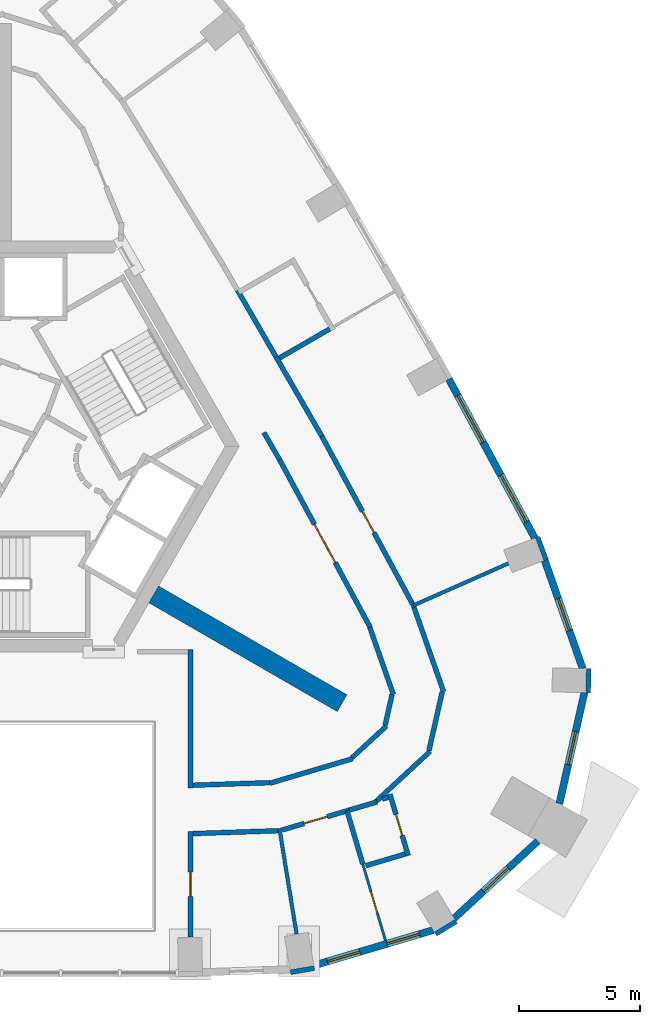
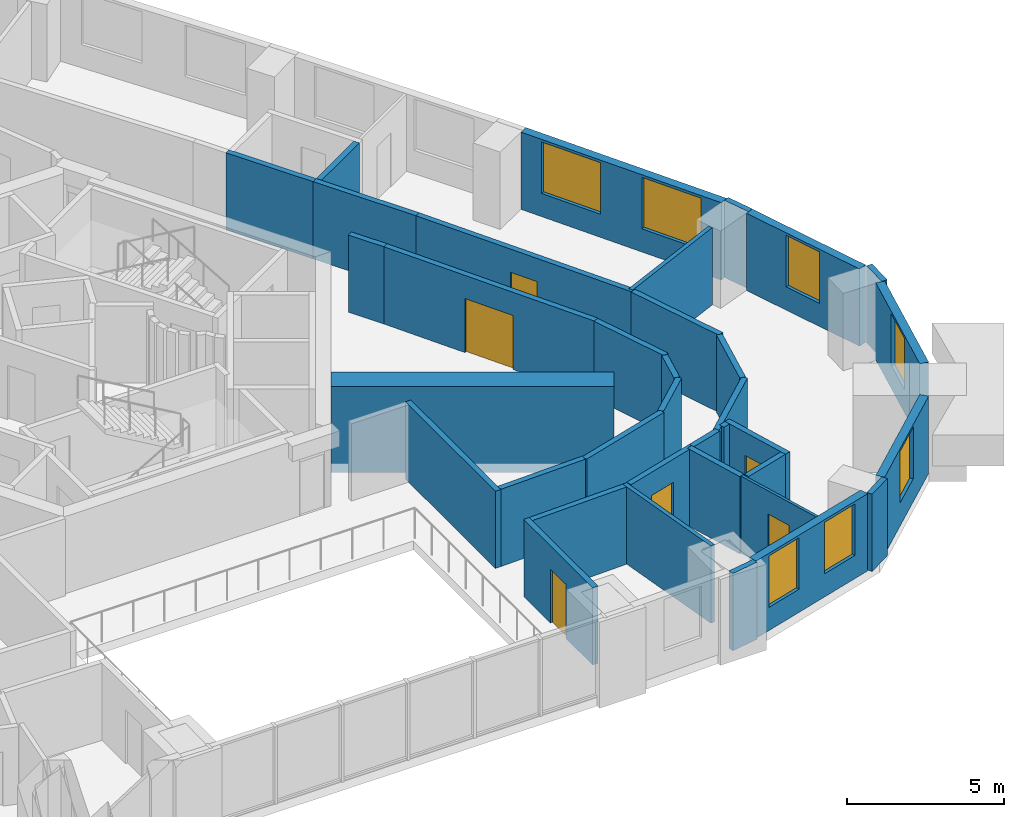
# One storey, part 6 of 10: 36 walls, 7 windows, 6 doors, 13 openings.
"""IFC4 building model written with IfcOpenShell, lengths in metres."""

from ifc_helpers import new_model, si_unit, direction, frame, frame_2d, origin, place, context, subcontext, project, spatial, rectangle, extrude, material, layer, layer_set, type_object, element, fill, save


model = new_model("IFC4")

# Units and contexts
model_context = context("Model", 3, precision=1e-05, world=origin(), true_north=direction((0.0, 1.0)))
body_context = subcontext(model_context, "Body", "Model", "MODEL_VIEW")
ifc_project = project(units=[si_unit("LENGTHUNIT", "METRE"), si_unit("AREAUNIT", "SQUARE_METRE"), si_unit("VOLUMEUNIT", "CUBIC_METRE"), si_unit("PLANEANGLEUNIT", "RADIAN"), si_unit("MASSUNIT", "GRAM", prefix="KILO")], contexts=[model_context])

# Site, building, storey
site_placement = place(None, origin())
site = spatial("IfcSite", under=ifc_project, at=site_placement, CompositionType="ELEMENT")
building_placement = place(site_placement, origin())
building = spatial("IfcBuilding", under=site, at=building_placement, Name="Entoto Arch Interchange Tower", CompositionType="ELEMENT")
storey_placement = place(building_placement, frame((0.0, 0.0, 322.39990234375)))
storey = spatial("IfcBuildingStorey", under=building, at=storey_placement, Name="L76", CompositionType="ELEMENT", Elevation=322.39990234375)

# Wall
ifc_material_1 = material(Name="Concrete C40/50", Category="concrete")
ifc_layer_1 = layer(ifc_material_1, 0.800048828125)
ifc_layer_set_1 = layer_set([ifc_layer_1], Name="Concrete C40/50")
wall_type_1 = type_object("IfcWallType", Name="Buttress wall 800 C40/50", PredefinedType="SHEAR", material=ifc_layer_set_1)
wall_1_placement = place(storey_placement, frame((6.279052734375, -3.625, -0.33984375), z_axis=(0.0, 0.0, 1.0), x_axis=(0.866017533419, -0.500013631625, 0.0)))
element("IfcWall", 1, at=wall_1_placement, inside=storey, type_object=wall_type_1, Name="Buttress wall SE L76", PredefinedType="SHEAR", context=body_context, shape_type="SweptSolid", body=[
    extrude(rectangle(XDim=8.999755859375, YDim=0.800048828125, at=frame_2d((4.5, 0.0))), origin(), (0.0, 0.0, 1.0), 3.33984375),
])

# Wall, opening, door
ifc_material_2 = material(Name="Gypsum board partition on steel studs", Category="steel")
ifc_layer_2 = layer(ifc_material_2, 0.10009765625)
ifc_layer_set_2 = layer_set([ifc_layer_2], Name="Gypsum board partition on steel studs")
wall_type_2 = type_object("IfcWallType", Name="PARTITION 100", PredefinedType="PARTITIONING", material=ifc_layer_set_2)
wall_2_placement = place(storey_placement, frame((14.928955078125, -14.781005859375, 0.0), z_axis=(0.0, 0.0, 1.0), x_axis=(0.284224342284, -0.958757802186, 0.0)))
wall_2 = element("IfcWall", 2, at=wall_2_placement, inside=storey, type_object=wall_type_2, Name="wall:L76:p081", PredefinedType="PARTITIONING", context=body_context, shape_type="SweptSolid", body=[
    extrude(rectangle(XDim=3.300048828125, YDim=0.10009765625, at=frame_2d((1.64990234375, 0.0))), origin(), (0.0, 0.0, 1.0), 3.0),
])
opening_1_placement = place(wall_2_placement, frame((1.199951171875, 0.0, 0.0)))
opening_1 = element("IfcOpeningElement", 3, at=opening_1_placement, cuts=wall_2, Name="Opening L76-D02", PredefinedType="OPENING", context=body_context, shape_type="SweptSolid", body=[
    extrude(rectangle(XDim=0.89990234375, YDim=2.10009765625, at=frame_2d((0.449951171875, 1.050048828125))), frame((0.0, 0.06005859375, 0.0), z_axis=(0.0, -1.0, 0.0), x_axis=(1.0, 0.0, 0.0)), (0.0, 0.0, 1.0), 0.1201171875),
])
ifc_material_3 = material(Name="Timber door leaf in Steel S235 frame", Category="steel")
door_type_1 = type_object("IfcDoorType", Name="DOOR DS-09 900x2100", OperationType="SINGLE_SWING_LEFT", PredefinedType="DOOR", material=ifc_material_3)
door_1_placement = place(opening_1_placement, origin())
door_1 = element("IfcDoor", 4, at=door_1_placement, inside=storey, type_object=door_type_1, Name="door:L76:02", OperationType="SINGLE_SWING_LEFT", OverallHeight=2.10009765625, OverallWidth=0.89990234375, PredefinedType="DOOR", context=body_context, shape_type="SweptSolid", body=[
    extrude(rectangle(XDim=0.89990234375, YDim=2.10009765625, at=frame_2d((0.449951171875, 1.050048828125))), frame((0.0, 0.02490234375, 0.0), z_axis=(0.0, -1.0, 0.0), x_axis=(1.0, 0.0, 0.0)), (0.0, 0.0, 1.0), 0.050048828125),
])
fill(opening_1, door_1)

# Walls
ifc_layer_3 = layer(ifc_material_2, 0.14990234375)
ifc_layer_set_3 = layer_set([ifc_layer_3], Name="Gypsum board partition on steel studs")
wall_type_3 = type_object("IfcWallType", Name="PARTITION 150", PredefinedType="PARTITIONING", material=ifc_layer_set_3)
wall_3_placement = place(storey_placement, frame((11.47900390625, -13.302001953125, 0.0), z_axis=(0.0, 0.0, 1.0), x_axis=(0.16010600403, -0.987099826499, 0.0)))
element("IfcWall", 5, at=wall_3_placement, inside=storey, type_object=wall_type_3, Name="wall:L76:p080", PredefinedType="PARTITIONING", context=body_context, shape_type="SweptSolid", body=[
    extrude(rectangle(XDim=4.42822265625, YDim=0.14990234375, at=frame_2d((2.214111328125, 0.0))), origin(), (0.0, 0.0, 1.0), 3.0),
])
wall_4_placement = place(storey_placement, frame((17.02001953125, -4.08203125, 0.0), z_axis=(0.0, 0.0, 1.0), x_axis=(0.914599611743, 0.404360668462, 0.0)))
element("IfcWall", 6, at=wall_4_placement, inside=storey, type_object=wall_type_3, Name="wall:L76:p086", PredefinedType="PARTITIONING", context=body_context, shape_type="SweptSolid", body=[
    extrude(rectangle(XDim=4.2958984375, YDim=0.14990234375, at=frame_2d((2.14794921875, 0.0))), origin(), (0.0, 0.0, 1.0), 3.0),
])
ifc_layer_4 = layer(ifc_material_2, 0.199951171875)
ifc_layer_set_4 = layer_set([ifc_layer_4], Name="Gypsum board partition on steel studs")
wall_type_4 = type_object("IfcWallType", Name="PARTITION 200", PredefinedType="PARTITIONING", material=ifc_layer_set_4)
wall_5_placement = place(storey_placement, frame((7.89990234375, -11.52001953125, 0.0), z_axis=(0.0, 0.0, 1.0), x_axis=(0.999442599499, 0.033383982774, 0.0)))
element("IfcWall", 7, at=wall_5_placement, inside=storey, type_object=wall_type_4, Name="wall:L76:p014", PredefinedType="PARTITIONING", context=body_context, shape_type="SweptSolid", body=[
    extrude(rectangle(XDim=3.173828125, YDim=0.199951171875, at=frame_2d((1.5869140625, 0.0))), origin(), (0.0, 0.0, 1.0), 3.0),
])
wall_6_placement = place(storey_placement, frame((11.075927734375, -11.43896484375, 0.0), z_axis=(0.0, 0.0, 1.0), x_axis=(0.958760241353, 0.284216114252, 0.0)))
element("IfcWall", 8, at=wall_6_placement, inside=storey, type_object=wall_type_4, Name="wall:L76:p015", PredefinedType="PARTITIONING", context=body_context, shape_type="SweptSolid", body=[
    extrude(rectangle(XDim=3.57763671875, YDim=0.199951171875, at=frame_2d((1.788818359375, 0.0))), origin(), (0.0, 0.0, 1.0), 3.0),
])
wall_7_placement = place(storey_placement, frame((14.48388671875, -10.382080078125, 0.0), z_axis=(0.0, 0.0, 1.0), x_axis=(0.735026247728, 0.678038653139, 0.0)))
element("IfcWall", 9, at=wall_7_placement, inside=storey, type_object=wall_type_4, Name="wall:L76:p016", PredefinedType="PARTITIONING", context=body_context, shape_type="SweptSolid", body=[
    extrude(rectangle(XDim=1.93212890625, YDim=0.199951171875, at=frame_2d((0.966064453125, 0.0))), origin(), (0.0, 0.0, 1.0), 3.0),
])
wall_8_placement = place(storey_placement, frame((15.85205078125, -9.0419921875, 0.0), z_axis=(0.0, 0.0, 1.0), x_axis=(0.220324178782, 0.975426704701, 0.0)))
element("IfcWall", 10, at=wall_8_placement, inside=storey, type_object=wall_type_4, Name="wall:L76:p017", PredefinedType="PARTITIONING", context=body_context, shape_type="SweptSolid", body=[
    extrude(rectangle(XDim=1.302001953125, YDim=0.199951171875, at=frame_2d((0.65087890625, 0.0))), origin(), (0.0, 0.0, 1.0), 3.0),
])
wall_9_placement = place(storey_placement, frame((16.194091796875, -7.76806640625, 0.0), z_axis=(0.0, 0.0, 1.0), x_axis=(-0.330981563235, 0.943637220969, 0.0)))
element("IfcWall", 11, at=wall_9_placement, inside=storey, type_object=wall_type_4, Name="wall:L76:p018", PredefinedType="PARTITIONING", context=body_context, shape_type="SweptSolid", body=[
    extrude(rectangle(XDim=2.946044921875, YDim=0.199951171875, at=frame_2d((1.47314453125, 0.0))), origin(), (0.0, 0.0, 1.0), 3.0),
])

# Wall, opening, door
wall_10_placement = place(storey_placement, frame((15.23291015625, -4.98193359375, 0.0), z_axis=(0.0, 0.0, 1.0), x_axis=(-0.475643534049, 0.879638123615, 0.0)))
wall_10 = element("IfcWall", 12, at=wall_10_placement, inside=storey, type_object=wall_type_4, Name="wall:L76:p019", PredefinedType="PARTITIONING", context=body_context, shape_type="SweptSolid", body=[
    extrude(rectangle(XDim=7.871337890625, YDim=0.199951171875, at=frame_2d((3.935546875, 0.0))), origin(), (0.0, 0.0, 1.0), 3.0),
])
opening_2_placement = place(wall_10_placement, frame((3.035888671875, 0.0, 0.0)))
opening_2 = element("IfcOpeningElement", 13, at=opening_2_placement, cuts=wall_10, Name="Opening L76-D19", PredefinedType="OPENING", context=body_context, shape_type="SweptSolid", body=[
    extrude(rectangle(XDim=1.800048828125, YDim=2.10009765625, at=frame_2d((0.89990234375, 1.050048828125))), frame((0.0, 0.10986328125, 0.0), z_axis=(0.0, -1.0, 0.0), x_axis=(1.0, 0.0, 0.0)), (0.0, 0.0, 1.0), 0.219970703125),
])
door_type_2 = type_object("IfcDoorType", Name="DOOR DD-18 1800x2100", OperationType="DOUBLE_DOOR_SINGLE_SWING", PredefinedType="DOOR", material=ifc_material_3)
door_2_placement = place(opening_2_placement, origin())
door_2 = element("IfcDoor", 14, at=door_2_placement, inside=storey, type_object=door_type_2, Name="door:L76:19", OperationType="DOUBLE_DOOR_SINGLE_SWING", OverallHeight=2.10009765625, OverallWidth=1.800048828125, PredefinedType="DOOR", context=body_context, shape_type="SweptSolid", body=[
    extrude(rectangle(XDim=1.800048828125, YDim=2.10009765625, at=frame_2d((0.89990234375, 1.050048828125))), frame((0.0, 0.02490234375, 0.0), z_axis=(0.0, -1.0, 0.0), x_axis=(1.0, 0.0, 0.0)), (0.0, 0.0, 1.0), 0.050048828125),
])
fill(opening_2, door_2)

# Walls
wall_11_placement = place(storey_placement, frame((11.489013671875, 1.94189453125, 0.0), z_axis=(0.0, 0.0, 1.0), x_axis=(-0.499544076393, 0.866288471435, 0.0)))
element("IfcWall", 15, at=wall_11_placement, inside=storey, type_object=wall_type_4, Name="wall:L76:p020", PredefinedType="PARTITIONING", context=body_context, shape_type="SweptSolid", body=[
    extrude(rectangle(XDim=1.303466796875, YDim=0.199951171875, at=frame_2d((0.65185546875, 0.0))), origin(), (0.0, 0.0, 1.0), 3.0),
])
wall_12_placement = place(storey_placement, frame((11.52001953125, -13.39990234375, 0.0), z_axis=(0.0, 0.0, 1.0), x_axis=(-0.999441010134, -0.033431530957, 0.0)))
element("IfcWall", 16, at=wall_12_placement, inside=storey, type_object=wall_type_4, Name="wall:L76:p029", PredefinedType="PARTITIONING", context=body_context, shape_type="SweptSolid", body=[
    extrude(rectangle(XDim=3.6220703125, YDim=0.199951171875, at=frame_2d((1.81103515625, 0.0))), origin(), (0.0, 0.0, 1.0), 3.0),
])

# Wall, opening, door
wall_13_placement = place(storey_placement, frame((14.37109375, -12.548095703125, 0.0), z_axis=(0.0, 0.0, 1.0), x_axis=(-0.958773475867, -0.284171465799, 0.0)))
wall_13 = element("IfcWall", 17, at=wall_13_placement, inside=storey, type_object=wall_type_4, Name="wall:L76:p030", PredefinedType="PARTITIONING", context=body_context, shape_type="SweptSolid", body=[
    extrude(rectangle(XDim=2.899658203125, YDim=0.199951171875, at=frame_2d((1.44970703125, 0.0))), origin(), (0.0, 0.0, 1.0), 3.0),
])
opening_3_placement = place(wall_13_placement, frame((0.949951171875, 0.0, 0.0)))
opening_3 = element("IfcOpeningElement", 18, at=opening_3_placement, cuts=wall_13, Name="Opening L76-D01", PredefinedType="OPENING", context=body_context, shape_type="SweptSolid", body=[
    extrude(rectangle(XDim=1.0, YDim=2.10009765625, at=frame_2d((0.5, 1.050048828125))), frame((0.0, 0.10986328125, 0.0), z_axis=(0.0, -1.0, 0.0), x_axis=(1.0, 0.0, 0.0)), (0.0, 0.0, 1.0), 0.219970703125),
])
ifc_material_4 = material(Name="Fire-rated Steel S235 door and frame", Category="steel")
door_type_3 = type_object("IfcDoorType", Name="DOOR FD-10 1000x2100", OperationType="SINGLE_SWING_LEFT", PredefinedType="DOOR", material=ifc_material_4)
door_3_placement = place(opening_3_placement, origin())
door_3 = element("IfcDoor", 19, at=door_3_placement, inside=storey, type_object=door_type_3, Name="door:L76:01", OperationType="SINGLE_SWING_LEFT", OverallHeight=2.10009765625, OverallWidth=1.0, PredefinedType="DOOR", context=body_context, shape_type="SweptSolid", body=[
    extrude(rectangle(XDim=1.0, YDim=2.10009765625, at=frame_2d((0.5, 1.050048828125))), frame((0.0, 0.02490234375, 0.0), z_axis=(0.0, -1.0, 0.0), x_axis=(1.0, 0.0, 0.0)), (0.0, 0.0, 1.0), 0.050048828125),
])
fill(opening_3, door_3)

# Walls
wall_14_placement = place(storey_placement, frame((17.052978515625, -4.177001953125, 0.0), z_axis=(0.0, 0.0, 1.0), x_axis=(0.33112192567, -0.943587977001, 0.0)))
element("IfcWall", 20, at=wall_14_placement, inside=storey, type_object=wall_type_4, Name="wall:L76:p031", PredefinedType="PARTITIONING", context=body_context, shape_type="SweptSolid", body=[
    extrude(rectangle(XDim=3.678466796875, YDim=0.199951171875, at=frame_2d((1.83935546875, 0.0))), origin(), (0.0, 0.0, 1.0), 3.0),
])
wall_15_placement = place(storey_placement, frame((18.216064453125, -7.65087890625, 0.0), z_axis=(0.0, 0.0, 1.0), x_axis=(-0.219979161162, -0.975504571314, 0.0)))
element("IfcWall", 21, at=wall_15_placement, inside=storey, type_object=wall_type_4, Name="wall:L76:p032", PredefinedType="PARTITIONING", context=body_context, shape_type="SweptSolid", body=[
    extrude(rectangle(XDim=2.50048828125, YDim=0.199951171875, at=frame_2d((1.250244140625, 0.0))), origin(), (0.0, 0.0, 1.0), 3.0),
])
wall_16_placement = place(storey_placement, frame((17.718017578125, -10.118896484375, 0.0), z_axis=(0.0, 0.0, 1.0), x_axis=(-0.734673909713, -0.678420405344, 0.0)))
element("IfcWall", 22, at=wall_16_placement, inside=storey, type_object=wall_type_4, Name="wall:L76:p033", PredefinedType="PARTITIONING", context=body_context, shape_type="SweptSolid", body=[
    extrude(rectangle(XDim=3.107421875, YDim=0.199951171875, at=frame_2d((1.5537109375, 0.0))), origin(), (0.0, 0.0, 1.0), 3.0),
])
wall_17_placement = place(storey_placement, frame((15.52099609375, -12.20703125, 0.0), z_axis=(0.0, 0.0, 1.0), x_axis=(-0.958717989575, -0.2843586054, 0.0)))
element("IfcWall", 23, at=wall_17_placement, inside=storey, type_object=wall_type_4, Name="wall:L76:p034", PredefinedType="PARTITIONING", context=body_context, shape_type="SweptSolid", body=[
    extrude(rectangle(XDim=1.199462890625, YDim=0.199951171875, at=frame_2d((0.599609375, 0.0))), origin(), (0.0, 0.0, 1.0), 3.0),
])
wall_18_placement = place(storey_placement, frame((11.343994140625, 6.193115234375, 0.0), z_axis=(0.0, 0.0, 1.0), x_axis=(0.50004096614, -0.86600175068, 0.0)))
element("IfcWall", 24, at=wall_18_placement, inside=storey, type_object=wall_type_4, Name="wall:L76:p035", PredefinedType="PARTITIONING", context=body_context, shape_type="SweptSolid", body=[
    extrude(rectangle(XDim=3.781982421875, YDim=0.199951171875, at=frame_2d((1.89111328125, 0.0))), origin(), (0.0, 0.0, 1.0), 3.0),
])

# Wall, opening, door
wall_19_placement = place(storey_placement, frame((13.235107421875, 2.91796875, 0.0), z_axis=(0.0, 0.0, 1.0), x_axis=(0.475681790703, -0.879617436158, 0.0)))
wall_19 = element("IfcWall", 25, at=wall_19_placement, inside=storey, type_object=wall_type_4, Name="wall:L76:p036", PredefinedType="PARTITIONING", context=body_context, shape_type="SweptSolid", body=[
    extrude(rectangle(XDim=8.057861328125, YDim=0.199951171875, at=frame_2d((4.02880859375, 0.0))), origin(), (0.0, 0.0, 1.0), 3.0),
])
opening_4_placement = place(wall_19_placement, frame((3.529052734375, 0.0, 0.0)))
opening_4 = element("IfcOpeningElement", 26, at=opening_4_placement, cuts=wall_19, Name="Opening L76-D04", PredefinedType="OPENING", context=body_context, shape_type="SweptSolid", body=[
    extrude(rectangle(XDim=1.0, YDim=2.10009765625, at=frame_2d((0.5, 1.050048828125))), frame((0.0, 0.10986328125, 0.0), z_axis=(0.0, -1.0, 0.0), x_axis=(1.0, 0.0, 0.0)), (0.0, 0.0, 1.0), 0.219970703125),
])
door_4_placement = place(opening_4_placement, origin())
door_4 = element("IfcDoor", 27, at=door_4_placement, inside=storey, type_object=door_type_3, Name="door:L76:04", OperationType="SINGLE_SWING_LEFT", OverallHeight=2.10009765625, OverallWidth=1.0, PredefinedType="DOOR", context=body_context, shape_type="SweptSolid", body=[
    extrude(rectangle(XDim=1.0, YDim=2.10009765625, at=frame_2d((0.5, 1.050048828125))), frame((0.0, 0.02490234375, 0.0), z_axis=(0.0, -1.0, 0.0), x_axis=(1.0, 0.0, 0.0)), (0.0, 0.0, 1.0), 0.050048828125),
])
fill(opening_4, door_4)

# Walls
wall_20_placement = place(storey_placement, frame((9.743896484375, 8.964111328125, 0.0), z_axis=(0.0, 0.0, 1.0), x_axis=(0.500290307618, -0.865857729713, 0.0)))
element("IfcWall", 28, at=wall_20_placement, inside=storey, type_object=wall_type_4, Name="wall:L76:p039", PredefinedType="PARTITIONING", context=body_context, shape_type="SweptSolid", body=[
    extrude(rectangle(XDim=3.2001953125, YDim=0.199951171875, at=frame_2d((1.60009765625, 0.0))), origin(), (0.0, 0.0, 1.0), 3.0),
])
wall_21_placement = place(storey_placement, frame((7.800048828125, -5.89892578125, 0.0), z_axis=(0.0, 0.0, 1.0), x_axis=(0.0, -1.0, 0.0)))
element("IfcWall", 29, at=wall_21_placement, inside=storey, type_object=wall_type_4, Name="wall:L76:p070", PredefinedType="PARTITIONING", context=body_context, shape_type="SweptSolid", body=[
    extrude(rectangle(XDim=5.72509765625, YDim=0.199951171875, at=frame_2d((2.862548828125, 0.0))), origin(), (0.0, 0.0, 1.0), 3.0),
])

# Wall, opening, door
wall_22_placement = place(storey_placement, frame((7.800048828125, -13.425048828125, 0.0), z_axis=(0.0, 0.0, 1.0), x_axis=(0.0, -1.0, 0.0)))
wall_22 = element("IfcWall", 30, at=wall_22_placement, inside=storey, type_object=wall_type_4, Name="wall:L76:p073", PredefinedType="PARTITIONING", context=body_context, shape_type="SweptSolid", body=[
    extrude(rectangle(XDim=4.383056640625, YDim=0.199951171875, at=frame_2d((2.19140625, 0.0))), origin(), (0.0, 0.0, 1.0), 3.0),
])
opening_5_placement = place(wall_22_placement, frame((1.69091796875, 0.0, 0.0)))
opening_5 = element("IfcOpeningElement", 31, at=opening_5_placement, cuts=wall_22, Name="Opening L76-D16", PredefinedType="OPENING", context=body_context, shape_type="SweptSolid", body=[
    extrude(rectangle(XDim=1.0, YDim=2.10009765625, at=frame_2d((0.5, 1.050048828125))), frame((0.0, 0.10986328125, 0.0), z_axis=(0.0, -1.0, 0.0), x_axis=(1.0, 0.0, 0.0)), (0.0, 0.0, 1.0), 0.219970703125),
])
door_type_4 = type_object("IfcDoorType", Name="DOOR DS-10 1000x2100", OperationType="SINGLE_SWING_LEFT", PredefinedType="DOOR", material=ifc_material_3)
door_5_placement = place(opening_5_placement, origin())
door_5 = element("IfcDoor", 32, at=door_5_placement, inside=storey, type_object=door_type_4, Name="door:L76:16", OperationType="SINGLE_SWING_LEFT", OverallHeight=2.10009765625, OverallWidth=1.0, PredefinedType="DOOR", context=body_context, shape_type="SweptSolid", body=[
    extrude(rectangle(XDim=1.0, YDim=2.10009765625, at=frame_2d((0.5, 1.050048828125))), frame((0.0, 0.02490234375, 0.0), z_axis=(0.0, -1.0, 0.0), x_axis=(1.0, 0.0, 0.0)), (0.0, 0.0, 1.0), 0.050048828125),
])
fill(opening_5, door_5)

# Walls
wall_23_placement = place(storey_placement, frame((14.27490234375, -12.575927734375, 0.0), z_axis=(0.0, 0.0, 1.0), x_axis=(0.284366601045, -0.958715618007, 0.0)))
element("IfcWall", 33, at=wall_23_placement, inside=storey, type_object=wall_type_4, Name="wall:L76:p082", PredefinedType="PARTITIONING", context=body_context, shape_type="SweptSolid", body=[
    extrude(rectangle(XDim=2.300048828125, YDim=0.199951171875, at=frame_2d((1.14990234375, 0.0))), origin(), (0.0, 0.0, 1.0), 3.0),
])
wall_24_placement = place(storey_placement, frame((15.053955078125, -14.84912109375, 0.0), z_axis=(0.0, 0.0, 1.0), x_axis=(0.958727061754, 0.284328016666, 0.0)))
element("IfcWall", 34, at=wall_24_placement, inside=storey, type_object=wall_type_4, Name="wall:L76:p083", PredefinedType="PARTITIONING", context=body_context, shape_type="SweptSolid", body=[
    extrude(rectangle(XDim=1.69921875, YDim=0.199951171875, at=frame_2d((0.849609375, 0.0))), origin(), (0.0, 0.0, 1.0), 3.0),
])

# Wall, opening, door
wall_25_placement = place(storey_placement, frame((16.80810546875, -14.43310546875, 0.0), z_axis=(0.0, 0.0, 1.0), x_axis=(-0.284524220245, 0.958668852156, 0.0)))
wall_25 = element("IfcWall", 35, at=wall_25_placement, inside=storey, type_object=wall_type_4, Name="wall:L76:p084", PredefinedType="PARTITIONING", context=body_context, shape_type="SweptSolid", body=[
    extrude(rectangle(XDim=2.650634765625, YDim=0.199951171875, at=frame_2d((1.3251953125, 0.0))), origin(), (0.0, 0.0, 1.0), 3.0),
])
opening_6_placement = place(wall_25_placement, frame((0.875, 0.0, 0.0)))
opening_6 = element("IfcOpeningElement", 36, at=opening_6_placement, cuts=wall_25, Name="Opening L76-D03", PredefinedType="OPENING", context=body_context, shape_type="SweptSolid", body=[
    extrude(rectangle(XDim=0.89990234375, YDim=2.10009765625, at=frame_2d((0.449951171875, 1.050048828125))), frame((0.0, 0.10986328125, 0.0), z_axis=(0.0, -1.0, 0.0), x_axis=(1.0, 0.0, 0.0)), (0.0, 0.0, 1.0), 0.219970703125),
])
door_6_placement = place(opening_6_placement, origin())
door_6 = element("IfcDoor", 37, at=door_6_placement, inside=storey, type_object=door_type_1, Name="door:L76:03", OperationType="SINGLE_SWING_LEFT", OverallHeight=2.10009765625, OverallWidth=0.89990234375, PredefinedType="DOOR", context=body_context, shape_type="SweptSolid", body=[
    extrude(rectangle(XDim=0.89990234375, YDim=2.10009765625, at=frame_2d((0.449951171875, 1.050048828125))), frame((0.0, 0.02490234375, 0.0), z_axis=(0.0, -1.0, 0.0), x_axis=(1.0, 0.0, 0.0)), (0.0, 0.0, 1.0), 0.050048828125),
])
fill(opening_6, door_6)

# Walls
wall_26_placement = place(storey_placement, frame((15.987060546875, -12.01708984375, 0.0), z_axis=(0.0, 0.0, 1.0), x_axis=(-0.958598776535, -0.284760224794, 0.0)))
element("IfcWall", 38, at=wall_26_placement, inside=storey, type_object=wall_type_4, Name="wall:L76:p085", PredefinedType="PARTITIONING", context=body_context, shape_type="SweptSolid", body=[
    extrude(rectangle(XDim=0.259765625, YDim=0.199951171875, at=frame_2d((0.1298828125, 0.0))), origin(), (0.0, 0.0, 1.0), 3.0),
])
wall_27_placement = place(storey_placement, frame((11.48095703125, 6.156005859375, 0.0), z_axis=(0.0, 0.0, 1.0), x_axis=(0.865999212041, 0.500045362686, 0.0)))
element("IfcWall", 39, at=wall_27_placement, inside=storey, type_object=wall_type_4, Name="wall:L76:p088", PredefinedType="PARTITIONING", context=body_context, shape_type="SweptSolid", body=[
    extrude(rectangle(XDim=2.399658203125, YDim=0.199951171875, at=frame_2d((1.19970703125, 0.0))), origin(), (0.0, 0.0, 1.0), 3.0),
])

# Wall, openings, windows
ifc_material_5 = material(Name="Welded tuff (ignimbrite) cladding, warm buff", Category="masonry")
ifc_layer_5 = layer(ifc_material_5, 0.300048828125)
ifc_layer_set_5 = layer_set([ifc_layer_5], Name="Welded tuff (ignimbrite) cladding, warm buff")
wall_type_5 = type_object("IfcWallType", Name="STONE INFILL WALL 300", PredefinedType="STANDARD", material=ifc_layer_set_5)
wall_28_placement = place(storey_placement, frame((12.904052734375, -18.97998046875, 0.0), z_axis=(0.0, 0.0, 1.0), x_axis=(0.958757933751, 0.284223898486, 0.0)))
wall_28 = element("IfcWall", 40, at=wall_28_placement, inside=storey, type_object=wall_type_5, Name="Facade wall SE-01 L76", PredefinedType="STANDARD", context=body_context, shape_type="SweptSolid", body=[
    extrude(rectangle(XDim=5.150390625, YDim=0.300048828125, at=frame_2d((2.5751953125, 0.0))), origin(), (0.0, 0.0, 1.0), 3.0),
])
opening_7_placement = place(wall_28_placement, frame((0.587890625, 0.0, 0.89990234375)))
opening_7 = element("IfcOpeningElement", 41, at=opening_7_placement, cuts=wall_28, Name="Opening WH-B", PredefinedType="OPENING", context=body_context, shape_type="SweptSolid", body=[
    extrude(rectangle(XDim=1.39990234375, YDim=2.0, at=frame_2d((0.699951171875, 1.0))), frame((0.0, 0.16015625, 0.0), z_axis=(0.0, -1.0, 0.0), x_axis=(1.0, 0.0, 0.0)), (0.0, 0.0, 1.0), 0.320068359375),
])
opening_8_placement = place(wall_28_placement, frame((3.1630859375, 0.0, 0.89990234375)))
opening_8 = element("IfcOpeningElement", 42, at=opening_8_placement, cuts=wall_28, Name="Opening WH-B", PredefinedType="OPENING", context=body_context, shape_type="SweptSolid", body=[
    extrude(rectangle(XDim=1.39990234375, YDim=2.0, at=frame_2d((0.699951171875, 1.0))), frame((0.0, 0.16015625, 0.0), z_axis=(0.0, -1.0, 0.0), x_axis=(1.0, 0.0, 0.0)), (0.0, 0.0, 1.0), 0.320068359375),
])
ifc_material_6 = material(Name="Clear glass, low-e double glazed", Category="glass")
window_type_1 = type_object("IfcWindowType", Name="WINDOW WH-B 1400x2000", PartitioningType="DOUBLE_PANEL_VERTICAL", PredefinedType="WINDOW", material=ifc_material_6)
window_1_placement = place(opening_7_placement, origin())
window_1 = element("IfcWindow", 43, at=window_1_placement, inside=storey, type_object=window_type_1, Name="Window WH-B SE-01 L76", OverallHeight=2.0, OverallWidth=1.39990234375, PartitioningType="SINGLE_PANEL", PredefinedType="WINDOW", context=body_context, shape_type="SweptSolid", body=[
    extrude(rectangle(XDim=1.39990234375, YDim=2.0, at=frame_2d((0.699951171875, 1.0))), frame((0.0, 0.030029296875, 0.0), z_axis=(0.0, -1.0, 0.0), x_axis=(1.0, 0.0, 0.0)), (0.0, 0.0, 1.0), 0.06005859375),
])
fill(opening_7, window_1)
window_2_placement = place(opening_8_placement, origin())
window_2 = element("IfcWindow", 44, at=window_2_placement, inside=storey, type_object=window_type_1, Name="Window WH-B SE-01 L76", OverallHeight=2.0, OverallWidth=1.39990234375, PartitioningType="SINGLE_PANEL", PredefinedType="WINDOW", context=body_context, shape_type="SweptSolid", body=[
    extrude(rectangle(XDim=1.39990234375, YDim=2.0, at=frame_2d((0.699951171875, 1.0))), frame((0.0, 0.030029296875, 0.0), z_axis=(0.0, -1.0, 0.0), x_axis=(1.0, 0.0, 0.0)), (0.0, 0.0, 1.0), 0.06005859375),
])
fill(opening_8, window_2)

# Wall, opening, window
wall_29_placement = place(storey_placement, frame((18.7119140625, -17.02587890625, 0.0), z_axis=(0.0, 0.0, 1.0), x_axis=(0.734934798699, 0.678137774838, 0.0)))
wall_29 = element("IfcWall", 45, at=wall_29_placement, inside=storey, type_object=wall_type_5, Name="Facade wall SE-02 L76", PredefinedType="STANDARD", context=body_context, shape_type="SweptSolid", body=[
    extrude(rectangle(XDim=4.70263671875, YDim=0.300048828125, at=frame_2d((2.351318359375, 0.0))), origin(), (0.0, 0.0, 1.0), 3.0),
])
opening_9_placement = place(wall_29_placement, frame((1.65087890625, 0.0, 0.89990234375)))
opening_9 = element("IfcOpeningElement", 46, at=opening_9_placement, cuts=wall_29, Name="Opening WH-B", PredefinedType="OPENING", context=body_context, shape_type="SweptSolid", body=[
    extrude(rectangle(XDim=1.39990234375, YDim=2.0, at=frame_2d((0.699951171875, 1.0))), frame((0.0, 0.16015625, 0.0), z_axis=(0.0, -1.0, 0.0), x_axis=(1.0, 0.0, 0.0)), (0.0, 0.0, 1.0), 0.320068359375),
])
window_3_placement = place(opening_9_placement, origin())
window_3 = element("IfcWindow", 47, at=window_3_placement, inside=storey, type_object=window_type_1, Name="Window WH-B SE-02 L76", OverallHeight=2.0, OverallWidth=1.39990234375, PartitioningType="SINGLE_PANEL", PredefinedType="WINDOW", context=body_context, shape_type="SweptSolid", body=[
    extrude(rectangle(XDim=1.39990234375, YDim=2.0, at=frame_2d((0.699951171875, 1.0))), frame((0.0, 0.030029296875, 0.0), z_axis=(0.0, -1.0, 0.0), x_axis=(1.0, 0.0, 0.0)), (0.0, 0.0, 1.0), 0.06005859375),
])
fill(opening_9, window_3)

wall_30_placement = place(storey_placement, frame((23.06689453125, -12.280029296875, 0.0), z_axis=(0.0, 0.0, 1.0), x_axis=(0.219886442412, 0.975525475036, 0.0)))
wall_30 = element("IfcWall", 48, at=wall_30_placement, inside=storey, type_object=wall_type_5, Name="Facade wall SE-03 L76", PredefinedType="STANDARD", context=body_context, shape_type="SweptSolid", body=[
    extrude(rectangle(XDim=4.703125, YDim=0.300048828125, at=frame_2d((2.3515625, 0.0))), origin(), (0.0, 0.0, 1.0), 3.0),
])
opening_10_placement = place(wall_30_placement, frame((1.652099609375, 0.0, 0.89990234375)))
opening_10 = element("IfcOpeningElement", 49, at=opening_10_placement, cuts=wall_30, Name="Opening WH-B", PredefinedType="OPENING", context=body_context, shape_type="SweptSolid", body=[
    extrude(rectangle(XDim=1.39990234375, YDim=2.0, at=frame_2d((0.699951171875, 1.0))), frame((0.0, 0.16015625, 0.0), z_axis=(0.0, -1.0, 0.0), x_axis=(1.0, 0.0, 0.0)), (0.0, 0.0, 1.0), 0.320068359375),
])
window_4_placement = place(opening_10_placement, origin())
window_4 = element("IfcWindow", 50, at=window_4_placement, inside=storey, type_object=window_type_1, Name="Window WH-B SE-03 L76", OverallHeight=2.0, OverallWidth=1.39990234375, PartitioningType="SINGLE_PANEL", PredefinedType="WINDOW", context=body_context, shape_type="SweptSolid", body=[
    extrude(rectangle(XDim=1.39990234375, YDim=2.0, at=frame_2d((0.699951171875, 1.0))), frame((0.0, 0.030029296875, 0.0), z_axis=(0.0, -1.0, 0.0), x_axis=(1.0, 0.0, 0.0)), (0.0, 0.0, 1.0), 0.06005859375),
])
fill(opening_10, window_4)

wall_31_placement = place(storey_placement, frame((24.029052734375, -6.69189453125, 0.0), z_axis=(0.0, 0.0, 1.0), x_axis=(-0.330923030855, 0.943657749213, 0.0)))
wall_31 = element("IfcWall", 51, at=wall_31_placement, inside=storey, type_object=wall_type_5, Name="Facade wall SE-04 L76", PredefinedType="STANDARD", context=body_context, shape_type="SweptSolid", body=[
    extrude(rectangle(XDim=4.74755859375, YDim=0.300048828125, at=frame_2d((2.373779296875, 0.0))), origin(), (0.0, 0.0, 1.0), 3.0),
])
opening_11_placement = place(wall_31_placement, frame((1.674072265625, 0.0, 0.89990234375)))
opening_11 = element("IfcOpeningElement", 52, at=opening_11_placement, cuts=wall_31, Name="Opening WH-B", PredefinedType="OPENING", context=body_context, shape_type="SweptSolid", body=[
    extrude(rectangle(XDim=1.39990234375, YDim=2.0, at=frame_2d((0.699951171875, 1.0))), frame((0.0, 0.16015625, 0.0), z_axis=(0.0, -1.0, 0.0), x_axis=(1.0, 0.0, 0.0)), (0.0, 0.0, 1.0), 0.320068359375),
])
window_5_placement = place(opening_11_placement, origin())
window_5 = element("IfcWindow", 53, at=window_5_placement, inside=storey, type_object=window_type_1, Name="Window WH-B SE-04 L76", OverallHeight=2.0, OverallWidth=1.39990234375, PartitioningType="SINGLE_PANEL", PredefinedType="WINDOW", context=body_context, shape_type="SweptSolid", body=[
    extrude(rectangle(XDim=1.39990234375, YDim=2.0, at=frame_2d((0.699951171875, 1.0))), frame((0.0, 0.030029296875, 0.0), z_axis=(0.0, -1.0, 0.0), x_axis=(1.0, 0.0, 0.0)), (0.0, 0.0, 1.0), 0.06005859375),
])
fill(opening_11, window_5)

# Wall, openings, windows
wall_32_placement = place(storey_placement, frame((22.052001953125, -1.298095703125, 0.0), z_axis=(0.0, 0.0, 1.0), x_axis=(-0.475690331633, 0.879612817319, 0.0)))
wall_32 = element("IfcWall", 54, at=wall_32_placement, inside=storey, type_object=wall_type_5, Name="Facade wall NE-01 L76", PredefinedType="STANDARD", context=body_context, shape_type="SweptSolid", body=[
    extrude(rectangle(XDim=7.48388671875, YDim=0.300048828125, at=frame_2d((3.741943359375, 0.0))), origin(), (0.0, 0.0, 1.0), 3.0),
])
opening_12_placement = place(wall_32_placement, frame((0.77099609375, 0.0, 0.89990234375)))
opening_12 = element("IfcOpeningElement", 55, at=opening_12_placement, cuts=wall_32, Name="Opening WH-A", PredefinedType="OPENING", context=body_context, shape_type="SweptSolid", body=[
    extrude(rectangle(XDim=2.199951171875, YDim=2.0, at=frame_2d((1.10009765625, 1.0))), frame((0.0, 0.16015625, 0.0), z_axis=(0.0, -1.0, 0.0), x_axis=(1.0, 0.0, 0.0)), (0.0, 0.0, 1.0), 0.320068359375),
])
opening_13_placement = place(wall_32_placement, frame((4.512939453125, 0.0, 0.89990234375)))
opening_13 = element("IfcOpeningElement", 56, at=opening_13_placement, cuts=wall_32, Name="Opening WH-A", PredefinedType="OPENING", context=body_context, shape_type="SweptSolid", body=[
    extrude(rectangle(XDim=2.199951171875, YDim=2.0, at=frame_2d((1.10009765625, 1.0))), frame((0.0, 0.16015625, 0.0), z_axis=(0.0, -1.0, 0.0), x_axis=(1.0, 0.0, 0.0)), (0.0, 0.0, 1.0), 0.320068359375),
])
window_type_2 = type_object("IfcWindowType", Name="WINDOW WH-A 2200x2000", PartitioningType="DOUBLE_PANEL_VERTICAL", PredefinedType="WINDOW", material=ifc_material_6)
window_6_placement = place(opening_12_placement, origin())
window_6 = element("IfcWindow", 57, at=window_6_placement, inside=storey, type_object=window_type_2, Name="Window WH-A NE-01 L76", OverallHeight=2.0, OverallWidth=2.199951171875, PartitioningType="SINGLE_PANEL", PredefinedType="WINDOW", context=body_context, shape_type="SweptSolid", body=[
    extrude(rectangle(XDim=2.199951171875, YDim=2.0, at=frame_2d((1.10009765625, 1.0))), frame((0.0, 0.030029296875, 0.0), z_axis=(0.0, -1.0, 0.0), x_axis=(1.0, 0.0, 0.0)), (0.0, 0.0, 1.0), 0.06005859375),
])
fill(opening_12, window_6)
window_7_placement = place(opening_13_placement, origin())
window_7 = element("IfcWindow", 58, at=window_7_placement, inside=storey, type_object=window_type_2, Name="Window WH-A NE-01 L76", OverallHeight=2.0, OverallWidth=2.199951171875, PartitioningType="SINGLE_PANEL", PredefinedType="WINDOW", context=body_context, shape_type="SweptSolid", body=[
    extrude(rectangle(XDim=2.199951171875, YDim=2.0, at=frame_2d((1.10009765625, 1.0))), frame((0.0, 0.030029296875, 0.0), z_axis=(0.0, -1.0, 0.0), x_axis=(1.0, 0.0, 0.0)), (0.0, 0.0, 1.0), 0.06005859375),
])
fill(opening_13, window_7)

# Walls
ifc_layer_6 = layer(ifc_material_5, 0.199951171875)
ifc_layer_set_6 = layer_set([ifc_layer_6], Name="Welded tuff (ignimbrite) cladding, warm buff")
wall_type_6 = type_object("IfcWallType", Name="STONE PIER CLADDING 200", PredefinedType="STANDARD", material=ifc_layer_set_6)
wall_33_placement = place(storey_placement, frame((22.514892578125, -2.19091796875, 0.0), z_axis=(0.0, 0.0, 1.0), x_axis=(-0.350962844851, 0.936389385637, 0.0)))
element("IfcWall", 59, at=wall_33_placement, inside=storey, type_object=wall_type_6, Name="Stone pier NE01 L76", PredefinedType="STANDARD", context=body_context, shape_type="SweptSolid", body=[
    extrude(rectangle(XDim=0.99951171875, YDim=0.199951171875, at=frame_2d((0.499755859375, 0.0))), origin(), (0.0, 0.0, 1.0), 3.0),
])
wall_34_placement = place(storey_placement, frame((11.93798828125, -19.257080078125, 0.0), z_axis=(0.0, 0.0, 1.0), x_axis=(0.985800545746, 0.167920469293, 0.0)))
element("IfcWall", 60, at=wall_34_placement, inside=storey, type_object=wall_type_6, Name="Stone pier S04 L76", PredefinedType="STANDARD", context=body_context, shape_type="SweptSolid", body=[
    extrude(rectangle(XDim=1.000244140625, YDim=0.199951171875, at=frame_2d((0.5, 0.0))), origin(), (0.0, 0.0, 1.0), 3.0),
])
wall_35_placement = place(storey_placement, frame((17.93896484375, -17.677001953125, 0.0), z_axis=(0.0, 0.0, 1.0), x_axis=(0.853679739553, 0.520798331677, 0.0)))
element("IfcWall", 61, at=wall_35_placement, inside=storey, type_object=wall_type_6, Name="Stone pier SE1 L76", PredefinedType="STANDARD", context=body_context, shape_type="SweptSolid", body=[
    extrude(rectangle(XDim=1.00048828125, YDim=0.199951171875, at=frame_2d((0.500244140625, 0.0))), origin(), (0.0, 0.0, 1.0), 3.0),
])
wall_36_placement = place(storey_placement, frame((24.25390625, -7.696044921875, 0.0), z_axis=(0.0, 0.0, 1.0), x_axis=(0.024186470916, 0.999707464524, 0.0)))
element("IfcWall", 62, at=wall_36_placement, inside=storey, type_object=wall_type_6, Name="Stone pier SE3 L76", PredefinedType="STANDARD", context=body_context, shape_type="SweptSolid", body=[
    extrude(rectangle(XDim=0.999267578125, YDim=0.199951171875, at=frame_2d((0.49951171875, 0.0))), origin(), (0.0, 0.0, 1.0), 3.0),
])

save(model, "model.ifc")
